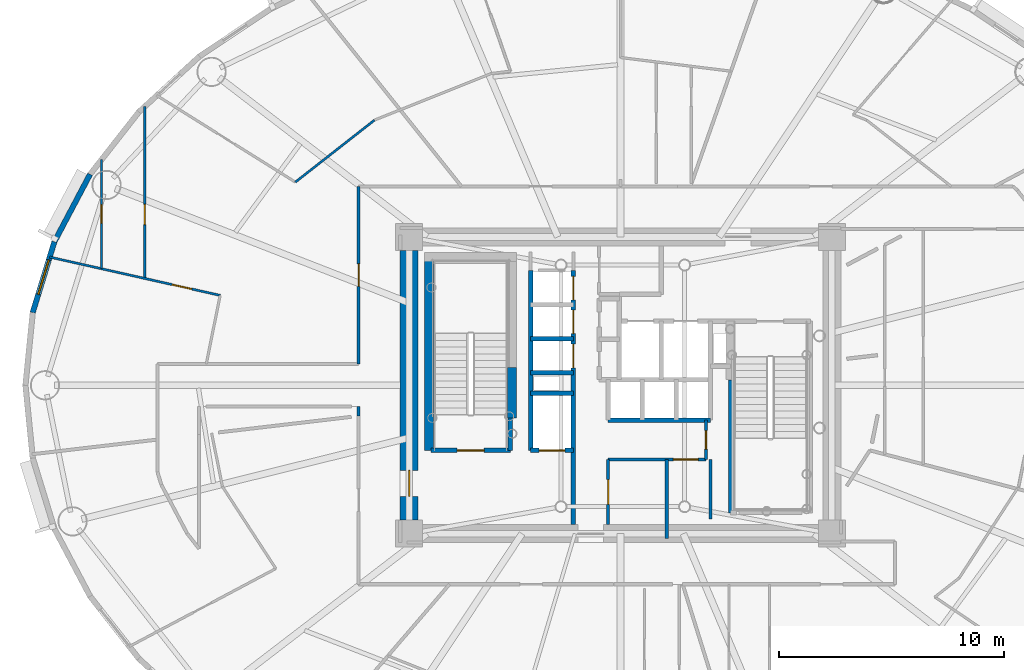
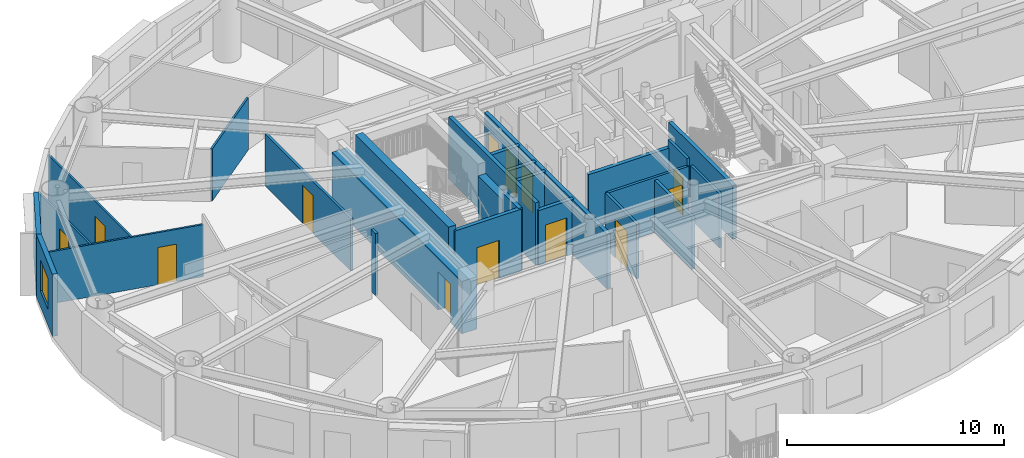
# One storey, part 7 of 18: 26 walls, 13 doors, 1 window, 14 openings.
"""IFC4 building model written with IfcOpenShell, lengths in metres."""

import ifcopenshell
import ifcopenshell.guid

model = None  # the IFC model being written
_history = None  # IfcOwnerHistory: only IFC2X3 demands one
_inside = {}  # id of a spatial element -> (the spatial element, [elements in it])
_under = {}  # id of a project, library or spatial element -> (it, [spatial elements below it])
_declared = {}  # id of a project -> (the project, [libraries it declares])
_typed = {}  # id of a type object -> (the type object, [elements of that type])
_made_of = {}  # id of a material, layer set ... -> (it, [elements and type objects made of it])


def new_model(schema):
    """Start an empty IFC model of exactly this schema.

    Asked for "IFC4X3", IfcOpenShell would pick the latest addendum, in which some entities
    have other attributes; the version numbers below select the first issue.
    IFC2X3 requires an IfcOwnerHistory on every rooted entity: one is made here for all.
    """
    global model, _history
    if schema == "IFC4X3":
        model = ifcopenshell.file(schema_version=(4, 3, 0, 0))
    else:
        model = ifcopenshell.file(schema=schema)
    _inside.clear()
    _under.clear()
    _declared.clear()
    _typed.clear()
    _made_of.clear()
    _history = None
    if model.schema == "IFC2X3":
        org = make("IfcOrganization", Name="unknown")
        user = make(
            "IfcPersonAndOrganization",
            ThePerson=make("IfcPerson", FamilyName="unknown"),
            TheOrganization=org,
        )
        app = make(
            "IfcApplication",
            ApplicationDeveloper=org,
            Version="unknown",
            ApplicationFullName="unknown",
            ApplicationIdentifier="unknown",
        )
        _history = make(
            "IfcOwnerHistory",
            OwningUser=user,
            OwningApplication=app,
            ChangeAction="ADDED",
            CreationDate=0,
        )
    return model


def make(cls, **values):
    """One entity of the class cls with the attributes given. An attribute that is None is left unset."""
    return model.create_entity(
        cls, **{name: value for name, value in values.items() if value is not None}
    )


def rooted(cls, **values):
    """An entity with a GlobalId (a new one), such as an element, a storey or a relation."""
    return make(cls, GlobalId=ifcopenshell.guid.new(), OwnerHistory=_history, **values)


def si_unit(unit_type, name, prefix=None):
    """IfcSIUnit, for example si_unit("LENGTHUNIT", "METRE", prefix="MILLI")."""
    return make("IfcSIUnit", UnitType=unit_type, Prefix=prefix, Name=name)


def assignment(units):
    """IfcUnitAssignment: the units of a project."""
    return None if units is None else make("IfcUnitAssignment", Units=units)


def point(xyz):
    """IfcCartesianPoint."""
    return None if xyz is None else make("IfcCartesianPoint", Coordinates=xyz)


def direction(xyz):
    """IfcDirection."""
    return None if xyz is None else make("IfcDirection", DirectionRatios=xyz)


def frame(location, z_axis=None, x_axis=None):
    """IfcAxis2Placement3D, a coordinate frame: its origin and axes. An axis left out is left unset."""
    return make(
        "IfcAxis2Placement3D",
        Location=point(location),
        Axis=direction(z_axis),
        RefDirection=direction(x_axis),
    )


def frame_2d(location, x_axis=None):
    """IfcAxis2Placement2D, a coordinate frame in the plane: its origin and x axis."""
    return make(
        "IfcAxis2Placement2D", Location=point(location), RefDirection=direction(x_axis)
    )


def origin():
    """The frame at (0, 0, 0) with its axes left unset."""
    return frame((0.0, 0.0, 0.0))


def origin_2d():
    """The frame at (0, 0) in the plane with its x axis left unset."""
    return frame_2d((0.0, 0.0))


def place(relative_to, where):
    """IfcLocalPlacement: puts the frame where relative to a parent placement (None: the world)."""
    return make(
        "IfcLocalPlacement", PlacementRelTo=relative_to, RelativePlacement=where
    )


def context(
    kind, dimensions, precision=None, world=None, true_north=None, identifier=None
):
    """IfcGeometricRepresentationContext, for example the 3D "Model" context."""
    return make(
        "IfcGeometricRepresentationContext",
        ContextIdentifier=identifier,
        ContextType=kind,
        CoordinateSpaceDimension=dimensions,
        Precision=precision,
        WorldCoordinateSystem=world,
        TrueNorth=true_north,
    )


def subcontext(parent, identifier, kind, view, scale=None):
    """IfcGeometricRepresentationSubContext, for example "Body" below "Model"."""
    return make(
        "IfcGeometricRepresentationSubContext",
        ContextIdentifier=identifier,
        ContextType=kind,
        ParentContext=parent,
        TargetScale=scale,
        TargetView=view,
    )


def project(units=None, contexts=None):
    """IfcProject with its units and contexts."""
    return rooted(
        "IfcProject",
        Name="project",
        RepresentationContexts=contexts,
        UnitsInContext=assignment(units),
    )


def spatial(cls, under=None, at=None, **own):
    """A site, building, storey or space (cls), placed at a placement, below another one or the project."""
    s = rooted(cls, ObjectPlacement=at, **own)
    if under is not None:
        _under.setdefault(under.id(), (under, []))[1].append(s)
    return s


def profile(cls, at=None, kind="AREA", **sizes):
    """A parametric profile (cls). Its sizes go by their IFC names, for example OverallWidth=200.0."""
    return make(cls, ProfileType=kind, Position=at, **sizes)


def rectangle(**sizes):
    """IfcRectangleProfileDef."""
    return profile("IfcRectangleProfileDef", **sizes)


def extrude(swept, where, along, depth):
    """IfcExtrudedAreaSolid: the profile swept, set in the frame where, extruded along a direction by depth."""
    return make(
        "IfcExtrudedAreaSolid",
        SweptArea=swept,
        Position=where,
        ExtrudedDirection=direction(along),
        Depth=depth,
    )


def shape(context_of_items, identifier, shape_type, items):
    """IfcShapeRepresentation: the items that make up one representation, for example the "Body"."""
    return make(
        "IfcShapeRepresentation",
        ContextOfItems=context_of_items,
        RepresentationIdentifier=identifier,
        RepresentationType=shape_type,
        Items=items,
    )


def source(mapping_origin, context_of_items, identifier, shape_type, items):
    """IfcRepresentationMap: a shape defined once, which mapped items show again and again."""
    return make(
        "IfcRepresentationMap",
        MappingOrigin=mapping_origin,
        MappedRepresentation=shape(context_of_items, identifier, shape_type, items),
    )


def transform(
    local_origin,
    x_axis=None,
    y_axis=None,
    z_axis=None,
    scale=None,
    scale2=None,
    scale3=None,
    uniform=True,
):
    """IfcCartesianTransformationOperator3D, or its non-uniform kind. x_axis, y_axis, z_axis: its Axis1, 2, 3."""
    if uniform:
        return make(
            "IfcCartesianTransformationOperator3D",
            Axis1=direction(x_axis),
            Axis2=direction(y_axis),
            LocalOrigin=point(local_origin),
            Scale=scale,
            Axis3=direction(z_axis),
        )
    return make(
        "IfcCartesianTransformationOperator3DnonUniform",
        Axis1=direction(x_axis),
        Axis2=direction(y_axis),
        LocalOrigin=point(local_origin),
        Scale=scale,
        Axis3=direction(z_axis),
        Scale2=scale2,
        Scale3=scale3,
    )


def mapped(mapping_source, mapping_target):
    """IfcMappedItem: shows the shape of a source again, moved by a transform."""
    return make(
        "IfcMappedItem", MappingSource=mapping_source, MappingTarget=mapping_target
    )


def material(Name=None, Category=None):
    """IfcMaterial."""
    return make("IfcMaterial", Name=Name, Category=Category)


def layer(
    of_material, thickness, ventilated=None, Name=None, Category=None, Priority=None
):
    """IfcMaterialLayer: one layer of a wall or slab, of a material (None: an air gap)."""
    return make(
        "IfcMaterialLayer",
        Material=of_material,
        LayerThickness=thickness,
        IsVentilated=ventilated,
        Name=Name,
        Category=Category,
        Priority=Priority,
    )


def layer_set(layers, Name=None):
    """IfcMaterialLayerSet."""
    return make("IfcMaterialLayerSet", MaterialLayers=layers, LayerSetName=Name)


def made_of(thing, what):
    """Note that an element or type object is made of a material, layer set ...; save() writes the relation."""
    if what is not None:
        _made_of.setdefault(what.id(), (what, []))[1].append(thing)
    return thing


def type_object(cls, material=None, **own):
    """A type object (cls), such as IfcWallType, which elements share."""
    return made_of(rooted(cls, **own), material)


def element(
    cls,
    number,
    at=None,
    inside=None,
    cuts=None,
    type_object=None,
    material=None,
    context=None,
    identifier="Body",
    shape_type=None,
    held_by="IfcProductDefinitionShape",
    body=None,
    shapes=None,
    **own,
):
    """One element of the class cls, such as IfcWall. Its Tag is "e" and its number.

    at: its placement. inside: the storey or other place that contains it. cuts: it is an
    opening in that element (IfcRelVoidsElement). A single representation is given by context,
    identifier, shape_type and body (its items); several are given by shapes. held_by: the class
    of the entity that holds the representations. save() writes the other relations.
    """
    e = rooted(cls, Tag="e%d" % number, ObjectPlacement=at, **own)
    if body is not None:
        shapes = [shape(context, identifier, shape_type, body)]
    if shapes is not None:
        e.Representation = make(held_by, Representations=shapes)
    if inside is not None:
        _inside.setdefault(inside.id(), (inside, []))[1].append(e)
    if cuts is not None:
        rooted(
            "IfcRelVoidsElement", RelatingBuildingElement=cuts, RelatedOpeningElement=e
        )
    if type_object is not None:
        _typed.setdefault(type_object.id(), (type_object, []))[1].append(e)
    return made_of(e, material)


def fill(opening, filler):
    """IfcRelFillsElement: the door or window that sits in an opening."""
    return rooted(
        "IfcRelFillsElement",
        RelatingOpeningElement=opening,
        RelatedBuildingElement=filler,
    )


def aggregate(whole, parts):
    """IfcRelAggregates: a whole, such as a stair, and the parts it consists of."""
    return rooted("IfcRelAggregates", RelatingObject=whole, RelatedObjects=parts)


def save(model, path):
    """Write the relations noted so far, then the file.

    IfcRelAggregates (storeys below a building ...), IfcRelContainedInSpatialStructure (elements
    in a storey), IfcRelDefinesByType, IfcRelAssociatesMaterial and IfcRelDeclares: one each for
    every whole, place, type object, material and project.
    """
    for whole, parts in _under.values():
        aggregate(whole, parts)
    for where, things in _inside.values():
        rooted(
            "IfcRelContainedInSpatialStructure",
            RelatedElements=things,
            RelatingStructure=where,
        )
    for kind, things in _typed.values():
        rooted("IfcRelDefinesByType", RelatedObjects=things, RelatingType=kind)
    for what, things in _made_of.values():
        rooted("IfcRelAssociatesMaterial", RelatedObjects=things, RelatingMaterial=what)
    for by, libraries in _declared.values():
        rooted("IfcRelDeclares", RelatingContext=by, RelatedDefinitions=libraries)
    model.write(path)


model = new_model("IFC4")

# Units and contexts
model_context = context("Model", 3, precision=1e-05, world=origin(), true_north=direction((0.0, 1.0)))
body_context = subcontext(model_context, "Body", "Model", "MODEL_VIEW")
ifc_project = project(units=[si_unit("LENGTHUNIT", "METRE"), si_unit("AREAUNIT", "SQUARE_METRE"), si_unit("VOLUMEUNIT", "CUBIC_METRE"), si_unit("PLANEANGLEUNIT", "RADIAN"), si_unit("MASSUNIT", "GRAM", prefix="KILO")], contexts=[model_context])

# Site, building, storey
site_placement = place(None, origin())
site = spatial("IfcSite", under=ifc_project, at=site_placement, CompositionType="ELEMENT")
building_placement = place(site_placement, origin())
building = spatial("IfcBuilding", under=site, at=building_placement, Name="Linh Dai School and Residence Tower", CompositionType="ELEMENT")
storey_placement = place(building_placement, frame((0.0, 0.0, 178.64990234375)))
storey = spatial("IfcBuildingStorey", under=building, at=storey_placement, Name="L43", CompositionType="ELEMENT", Elevation=178.64990234375)

# Wall
ifc_material_1 = material(Name="Precast Concrete B45 (C35/45)", Category="concrete")
ifc_layer_1 = layer(ifc_material_1, 0.239990234375)
ifc_layer_set_1 = layer_set([ifc_layer_1], Name="Precast Concrete B45 (C35/45)")
wall_type_1 = type_object("IfcWallType", Name="EW-TC-240", PredefinedType="SOLIDWALL", material=ifc_layer_set_1)
wall_1_placement = place(storey_placement, frame((10.8173828125, 33.388916015625, 0.0), z_axis=(0.0, 0.0, 1.0), x_axis=(0.467586874938, 0.88394712194, 0.0)))
element("IfcWall", 1, at=wall_1_placement, inside=storey, type_object=wall_type_1, Name="L43 Terracotta Exterior Wall 18", PredefinedType="SOLIDWALL", context=body_context, shape_type="SweptSolid", body=[
    extrude(rectangle(XDim=3.393310546875, YDim=0.239990234375, at=frame_2d((1.69677734375, 0.0))), origin(), (0.0, 0.0, 1.0), 3.5),
])

# Wall, opening, window
wall_2_placement = place(storey_placement, frame((9.85009765625, 30.233642578125, 0.0), z_axis=(0.0, 0.0, 1.0), x_axis=(0.293097995113, 0.956082405058, 0.0)))
wall_2 = element("IfcWall", 2, at=wall_2_placement, inside=storey, type_object=wall_type_1, Name="L43 Terracotta Exterior Wall 19", PredefinedType="SOLIDWALL", context=body_context, shape_type="SweptSolid", body=[
    extrude(rectangle(XDim=3.30029296875, YDim=0.239990234375, at=frame_2d((1.650146484375, 0.0))), origin(), (0.0, 0.0, 1.0), 3.5),
])
opening_1_placement = place(wall_2_placement, frame((0.85009765625, 0.0, 0.89990234375)))
opening_1 = element("IfcOpeningElement", 3, at=opening_1_placement, cuts=wall_2, Name="Opening W2", PredefinedType="OPENING", context=body_context, shape_type="SweptSolid", body=[
    extrude(rectangle(XDim=1.60009765625, YDim=1.75, at=origin_2d()), frame((0.800048828125, 0.1298828125, 0.875), z_axis=(0.0, -1.0, 0.0), x_axis=(1.0, 0.0, 0.0)), (0.0, 0.0, 1.0), 0.260009765625),
])
ifc_material_2 = material(Name="Double Low-E Insulated Glazing", Category="glass")
window_type = type_object("IfcWindowType", Name="WN-RES-1600x1750", PartitioningType="DOUBLE_PANEL_VERTICAL", PredefinedType="WINDOW", material=ifc_material_2)
shared_shape_1 = source(origin(), body_context, "Body", "SweptSolid", [
    extrude(rectangle(XDim=1.60009765625, YDim=1.75, at=origin_2d()), frame((0.800048828125, 0.030029296875, 0.875), z_axis=(0.0, -1.0, 0.0), x_axis=(1.0, 0.0, 0.0)), (0.0, 0.0, 1.0), 0.06005859375),
])
window_placement = place(opening_1_placement, origin())
window = element("IfcWindow", 4, at=window_placement, inside=storey, type_object=window_type, Name="L43 Exterior Window 19.1", OverallHeight=1.75, OverallWidth=1.60009765625, PartitioningType="DOUBLE_PANEL_VERTICAL", PredefinedType="WINDOW", context=body_context, shape_type="MappedRepresentation", body=[
    mapped(shared_shape_1, transform((0.0, 0.0, 0.0), x_axis=(1.0, 0.0, 0.0), y_axis=(0.0, 1.0, 0.0), z_axis=(0.0, 0.0, 1.0), scale=1.0)),
])
fill(opening_1, window)

# Wall, opening, door
ifc_material_3 = material(Name="Autoclaved Aerated Concrete Blockwork", Category="masonry")
ifc_layer_2 = layer(ifc_material_3, 0.135009765625)
ifc_layer_set_2 = layer_set([ifc_layer_2], Name="Autoclaved Aerated Concrete Blockwork")
wall_type_2 = type_object("IfcWallType", Name="IW-CORR-135-EI90", PredefinedType="PARTITIONING", material=ifc_layer_set_2)
wall_3_placement = place(storey_placement, frame((24.35009765625, 27.949951171875, 0.0), z_axis=(0.0, 0.0, 1.0), x_axis=(0.0, 1.0, 0.0)))
wall_3 = element("IfcWall", 5, at=wall_3_placement, inside=storey, type_object=wall_type_2, Name="L43 Interior Partition Wall 023", PredefinedType="PARTITIONING", context=body_context, shape_type="SweptSolid", body=[
    extrude(rectangle(XDim=7.900146484375, YDim=0.135009765625, at=frame_2d((3.9501953125, 0.0))), origin(), (0.0, 0.0, 1.0), 2.93505859375),
])
opening_2_placement = place(wall_3_placement, frame((3.449951171875, 0.0, 0.0)))
opening_2 = element("IfcOpeningElement", 6, at=opening_2_placement, cuts=wall_3, Name="Opening D03", PredefinedType="OPENING", context=body_context, shape_type="SweptSolid", body=[
    extrude(rectangle(XDim=1.0, YDim=2.14990234375, at=origin_2d()), frame((0.5, 0.07763671875, 1.074951171875), z_axis=(0.0, -1.0, 0.0), x_axis=(1.0, 0.0, 0.0)), (0.0, 0.0, 1.0), 0.155029296875),
])
ifc_material_4 = material(Name="Fire-Rated Solid Timber Entrance Door", Category="wood")
door_type_1 = type_object("IfcDoorType", Name="DR-FLAT-1000x2150-FD60S", OperationType="NOTDEFINED", PredefinedType="DOOR", material=ifc_material_4)
shared_shape_2 = source(origin(), body_context, "Body", "SweptSolid", [
    extrude(rectangle(XDim=1.0, YDim=2.14990234375, at=origin_2d()), frame((0.5, 0.02490234375, 1.074951171875), z_axis=(0.0, -1.0, 0.0), x_axis=(1.0, 0.0, 0.0)), (0.0, 0.0, 1.0), 0.050048828125),
])
door_1_placement = place(opening_2_placement, origin())
door_1 = element("IfcDoor", 7, at=door_1_placement, inside=storey, type_object=door_type_1, Name="L43 U4303 Apartment Entrance Door", OperationType="SINGLE_SWING_LEFT", OverallHeight=2.14990234375, OverallWidth=1.0, PredefinedType="DOOR", context=body_context, shape_type="MappedRepresentation", body=[
    mapped(shared_shape_2, transform((0.0, 0.0, 0.0), x_axis=(1.0, 0.0, 0.0), y_axis=(0.0, 1.0, 0.0), z_axis=(0.0, 0.0, 1.0), scale=1.0)),
])
fill(opening_2, door_1)

wall_4_placement = place(storey_placement, frame((35.449951171875, 20.800048828125, 0.0), z_axis=(0.0, 0.0, 1.0), x_axis=(0.0, 1.0, 0.0)))
wall_4 = element("IfcWall", 8, at=wall_4_placement, inside=storey, type_object=wall_type_2, Name="L43 Interior Partition Wall 047", PredefinedType="PARTITIONING", context=body_context, shape_type="SweptSolid", body=[
    extrude(rectangle(XDim=2.89990234375, YDim=0.135009765625, at=frame_2d((1.449951171875, 0.0))), origin(), (0.0, 0.0, 1.0), 3.085205078125),
])
opening_3_placement = place(wall_4_placement, frame((0.89990234375, 0.0, 0.0)))
opening_3 = element("IfcOpeningElement", 9, at=opening_3_placement, cuts=wall_4, Name="Opening D07", PredefinedType="OPENING", context=body_context, shape_type="SweptSolid", body=[
    extrude(rectangle(XDim=1.10009765625, YDim=2.14990234375, at=origin_2d()), frame((0.550048828125, 0.07763671875, 1.074951171875), z_axis=(0.0, -1.0, 0.0), x_axis=(1.0, 0.0, 0.0)), (0.0, 0.0, 1.0), 0.155029296875),
])
ifc_material_5 = material(Name="Fire-Rated Louvred Steel Plant Door", Category="steel")
door_type_2 = type_object("IfcDoorType", Name="DR-PLT-1100x2150-FD60S", OperationType="NOTDEFINED", PredefinedType="DOOR", material=ifc_material_5)
shared_shape_3 = source(origin(), body_context, "Body", "SweptSolid", [
    extrude(rectangle(XDim=1.10009765625, YDim=2.14990234375, at=origin_2d()), frame((0.550048828125, 0.02490234375, 1.074951171875), z_axis=(0.0, -1.0, 0.0), x_axis=(1.0, 0.0, 0.0)), (0.0, 0.0, 1.0), 0.050048828125),
])
door_2_placement = place(opening_3_placement, origin())
door_2 = element("IfcDoor", 10, at=door_2_placement, inside=storey, type_object=door_type_2, Name="L43 Floor Electrical Switchroom Door", OperationType="SINGLE_SWING_LEFT", OverallHeight=2.14990234375, OverallWidth=1.10009765625, PredefinedType="DOOR", context=body_context, shape_type="MappedRepresentation", body=[
    mapped(shared_shape_3, transform((0.0, 0.0, 0.0), x_axis=(1.0, 0.0, 0.0), y_axis=(0.0, 1.0, 0.0), z_axis=(0.0, 0.0, 1.0), scale=1.0)),
])
fill(opening_3, door_2)

wall_5_placement = place(storey_placement, frame((35.449951171875, 23.699951171875, 0.0), z_axis=(0.0, 0.0, 1.0), x_axis=(1.0, 0.0, 0.0)))
wall_5 = element("IfcWall", 11, at=wall_5_placement, inside=storey, type_object=wall_type_2, Name="L43 Interior Partition Wall 048", PredefinedType="PARTITIONING", context=body_context, shape_type="SweptSolid", body=[
    extrude(rectangle(XDim=4.35009765625, YDim=0.135009765625, at=frame_2d((2.175048828125, 0.0))), origin(), (0.0, 0.0, 1.0), 3.085205078125),
])
opening_4_placement = place(wall_5_placement, frame((2.905029296875, 0.0, 0.0)))
opening_4 = element("IfcOpeningElement", 12, at=opening_4_placement, cuts=wall_5, Name="Opening D07", PredefinedType="OPENING", context=body_context, shape_type="SweptSolid", body=[
    extrude(rectangle(XDim=1.10009765625, YDim=2.14990234375, at=origin_2d()), frame((0.550048828125, 0.07763671875, 1.074951171875), z_axis=(0.0, -1.0, 0.0), x_axis=(1.0, 0.0, 0.0)), (0.0, 0.0, 1.0), 0.155029296875),
])
door_3_placement = place(opening_4_placement, origin())
door_3 = element("IfcDoor", 13, at=door_3_placement, inside=storey, type_object=door_type_2, Name="L43 Telecom Node Room Door", OperationType="SINGLE_SWING_RIGHT", OverallHeight=2.14990234375, OverallWidth=1.10009765625, PredefinedType="DOOR", context=body_context, shape_type="MappedRepresentation", body=[
    mapped(shared_shape_3, transform((0.0, 0.0, 0.0), x_axis=(1.0, 0.0, 0.0), y_axis=(0.0, 1.0, 0.0), z_axis=(0.0, 0.0, 1.0), scale=1.0)),
])
fill(opening_4, door_3)

wall_6_placement = place(storey_placement, frame((39.800048828125, 23.699951171875, 0.0), z_axis=(0.0, 0.0, 1.0), x_axis=(0.0, 1.0, 0.0)))
wall_6 = element("IfcWall", 14, at=wall_6_placement, inside=storey, type_object=wall_type_2, Name="L43 Interior Partition Wall 071", PredefinedType="PARTITIONING", context=body_context, shape_type="SweptSolid", body=[
    extrude(rectangle(XDim=1.75, YDim=0.135009765625, at=frame_2d((0.875, 0.0))), origin(), (0.0, 0.0, 1.0), 3.5),
])
opening_5_placement = place(wall_6_placement, frame((0.465087890625, 0.0, 0.0)))
opening_5 = element("IfcOpeningElement", 15, at=opening_5_placement, cuts=wall_6, Name="Opening D06", PredefinedType="OPENING", context=body_context, shape_type="SweptSolid", body=[
    extrude(rectangle(XDim=0.820068359375, YDim=2.10009765625, at=origin_2d()), frame((0.41015625, 0.07763671875, 1.050048828125), z_axis=(0.0, -1.0, 0.0), x_axis=(1.0, 0.0, 0.0)), (0.0, 0.0, 1.0), 0.155029296875),
])
ifc_material_6 = material(Name="Moisture-Resistant Timber Bathroom Door", Category="wood")
door_type_3 = type_object("IfcDoorType", Name="DR-WET-820x2100", OperationType="NOTDEFINED", PredefinedType="DOOR", material=ifc_material_6)
shared_shape_4 = source(origin(), body_context, "Body", "SweptSolid", [
    extrude(rectangle(XDim=0.820068359375, YDim=2.10009765625, at=origin_2d()), frame((0.41015625, 0.02490234375, 1.050048828125), z_axis=(0.0, -1.0, 0.0), x_axis=(1.0, 0.0, 0.0)), (0.0, 0.0, 1.0), 0.050048828125),
])
door_4_placement = place(opening_5_placement, origin())
door_4 = element("IfcDoor", 16, at=door_4_placement, inside=storey, type_object=door_type_3, Name="L43 East Linen Store Door", OperationType="SINGLE_SWING_RIGHT", OverallHeight=2.10009765625, OverallWidth=0.820068359375, PredefinedType="DOOR", context=body_context, shape_type="MappedRepresentation", body=[
    mapped(shared_shape_4, transform((0.0, 0.0, 0.0), x_axis=(1.0, 0.0, 0.0), y_axis=(0.0, 1.0, 0.0), z_axis=(0.0, 0.0, 1.0), scale=1.0)),
])
fill(opening_5, door_4)

# Walls
wall_7_placement = place(storey_placement, frame((40.0, 23.699951171875, 0.0), z_axis=(0.0, 0.0, 1.0), x_axis=(0.0, -1.0, 0.0)))
element("IfcWall", 17, at=wall_7_placement, inside=storey, type_object=wall_type_2, Name="L43 Interior Partition Wall 104", PredefinedType="PARTITIONING", context=body_context, shape_type="SweptSolid", body=[
    extrude(rectangle(XDim=2.639892578125, YDim=0.135009765625, at=frame_2d((1.31982421875, 0.0))), origin(), (0.0, 0.0, 1.0), 3.03515625),
])
wall_8_placement = place(storey_placement, frame((24.35009765625, 25.644775390625, 0.0), z_axis=(0.0, 0.0, 1.0), x_axis=(0.0, 1.0, 0.0)))
element("IfcWall", 18, at=wall_8_placement, inside=storey, type_object=wall_type_2, Name="L43 Interior Partition Wall 117", PredefinedType="PARTITIONING", context=body_context, shape_type="SweptSolid", body=[
    extrude(rectangle(XDim=0.4052734375, YDim=0.135009765625, at=frame_2d((0.20263671875, 0.0))), origin(), (0.0, 0.0, 1.0), 3.5),
])
ifc_layer_3 = layer(ifc_material_3, 0.14990234375)
ifc_layer_set_3 = layer_set([ifc_layer_3], Name="Autoclaved Aerated Concrete Blockwork")
wall_type_3 = type_object("IfcWallType", Name="IW-SCH-150-EI60", PredefinedType="PARTITIONING", material=ifc_layer_set_3)
wall_9_placement = place(storey_placement, frame((38.050048828125, 20.179931640625, 0.0), z_axis=(0.0, 0.0, 1.0), x_axis=(0.0, 1.0, 0.0)))
element("IfcWall", 19, at=wall_9_placement, inside=storey, type_object=wall_type_3, Name="L43 Interior Partition Wall 063", PredefinedType="PARTITIONING", context=body_context, shape_type="SweptSolid", body=[
    extrude(rectangle(XDim=3.52001953125, YDim=0.14990234375, at=frame_2d((1.760009765625, 0.0))), origin(), (0.0, 0.0, 1.0), 2.93505859375),
])

# Wall, opening, door
ifc_material_7 = material(Name="Concrete B45 (C35/45)", Category="concrete")
ifc_layer_4 = layer(ifc_material_7, 0.199951171875)
ifc_layer_set_4 = layer_set([ifc_layer_4], Name="Concrete B45 (C35/45)")
wall_type_4 = type_object("IfcWallType", Name="IW-SHAFT-200-EI120", PredefinedType="PARTITIONING", material=ifc_layer_set_4)
wall_10_placement = place(storey_placement, frame((27.56005859375, 24.10009765625, 0.0), z_axis=(0.0, 0.0, 1.0), x_axis=(1.0, 0.0, 0.0)))
wall_10 = element("IfcWall", 20, at=wall_10_placement, inside=storey, type_object=wall_type_4, Name="L43 Interior Partition Wall 027", PredefinedType="PARTITIONING", context=body_context, shape_type="SweptSolid", body=[
    extrude(rectangle(XDim=3.5400390625, YDim=0.199951171875, at=frame_2d((1.77001953125, 0.0))), origin(), (0.0, 0.0, 1.0), 3.5),
])
opening_6_placement = place(wall_10_placement, frame((1.169921875, 0.0, 0.0)))
opening_6 = element("IfcOpeningElement", 21, at=opening_6_placement, cuts=wall_10, Name="Opening D01", PredefinedType="OPENING", context=body_context, shape_type="SweptSolid", body=[
    extrude(rectangle(XDim=1.199951171875, YDim=2.14990234375, at=origin_2d()), frame((0.60009765625, 0.10986328125, 1.074951171875), z_axis=(0.0, -1.0, 0.0), x_axis=(1.0, 0.0, 0.0)), (0.0, 0.0, 1.0), 0.219970703125),
])
ifc_material_8 = material(Name="Fire-Rated Steel Door Leaf", Category="steel")
door_type_4 = type_object("IfcDoorType", Name="DR-STAIR-1200x2150-FD90S", OperationType="NOTDEFINED", PredefinedType="DOOR", material=ifc_material_8)
shared_shape_5 = source(origin(), body_context, "Body", "SweptSolid", [
    extrude(rectangle(XDim=1.199951171875, YDim=2.14990234375, at=origin_2d()), frame((0.60009765625, 0.02490234375, 1.074951171875), z_axis=(0.0, -1.0, 0.0), x_axis=(1.0, 0.0, 0.0)), (0.0, 0.0, 1.0), 0.050048828125),
])
door_5_placement = place(opening_6_placement, origin())
door_5 = element("IfcDoor", 22, at=door_5_placement, inside=storey, type_object=door_type_4, Name="L43 Core Smokeproof Exit Stair ST1 Door", OperationType="SINGLE_SWING_RIGHT", OverallHeight=2.14990234375, OverallWidth=1.199951171875, PredefinedType="DOOR", context=body_context, shape_type="MappedRepresentation", body=[
    mapped(shared_shape_5, transform((0.0, 0.0, 0.0), x_axis=(1.0, 0.0, 0.0), y_axis=(0.0, 1.0, 0.0), z_axis=(0.0, 0.0, 1.0), scale=1.0)),
])
fill(opening_6, door_5)

# Walls
wall_11_placement = place(storey_placement, frame((31.10009765625, 24.10009765625, 0.0), z_axis=(0.0, 0.0, 1.0), x_axis=(0.0, 1.0, 0.0)))
element("IfcWall", 23, at=wall_11_placement, inside=storey, type_object=wall_type_4, Name="L43 Interior Partition Wall 032", PredefinedType="PARTITIONING", context=body_context, shape_type="SweptSolid", body=[
    extrude(rectangle(XDim=1.43994140625, YDim=0.199951171875, at=frame_2d((0.719970703125, 0.0))), origin(), (0.0, 0.0, 1.0), 3.5),
])
wall_12_placement = place(storey_placement, frame((32.0, 24.10009765625, 0.0), z_axis=(0.0, 0.0, 1.0), x_axis=(0.0, 1.0, 0.0)))
element("IfcWall", 24, at=wall_12_placement, inside=storey, type_object=wall_type_4, Name="L43 Interior Partition Wall 033", PredefinedType="PARTITIONING", context=body_context, shape_type="SweptSolid", body=[
    extrude(rectangle(XDim=8.0, YDim=0.199951171875, at=frame_2d((4.0, 0.0))), origin(), (0.0, 0.0, 1.0), 3.5),
])

# Wall, opening, door
wall_13_placement = place(storey_placement, frame((32.0, 24.10009765625, 0.0), z_axis=(0.0, 0.0, 1.0), x_axis=(1.0, 0.0, 0.0)))
wall_13 = element("IfcWall", 25, at=wall_13_placement, inside=storey, type_object=wall_type_4, Name="L43 Interior Partition Wall 034", PredefinedType="PARTITIONING", context=body_context, shape_type="SweptSolid", body=[
    extrude(rectangle(XDim=1.89990234375, YDim=0.199951171875, at=frame_2d((0.949951171875, 0.0))), origin(), (0.0, 0.0, 1.0), 3.085205078125),
])
opening_7_placement = place(wall_13_placement, frame((0.375, 0.0, 0.0)))
opening_7 = element("IfcOpeningElement", 26, at=opening_7_placement, cuts=wall_13, Name="Opening LD-FF2", PredefinedType="OPENING", context=body_context, shape_type="SweptSolid", body=[
    extrude(rectangle(XDim=1.14990234375, YDim=2.14990234375, at=origin_2d()), frame((0.574951171875, 0.10986328125, 1.074951171875), z_axis=(0.0, -1.0, 0.0), x_axis=(1.0, 0.0, 0.0)), (0.0, 0.0, 1.0), 0.219970703125),
])
ifc_material_9 = material(Name="Fire-Rated Stainless Steel Firefighting Lift Door", Category="steel")
door_type_5 = type_object("IfcDoorType", Name="DR-LD-FF-1150x2150-FD120", OperationType="DOUBLE_DOOR_SLIDING", PredefinedType="USERDEFINED", material=ifc_material_9)
shared_shape_6 = source(origin(), body_context, "Body", "SweptSolid", [
    extrude(rectangle(XDim=1.14990234375, YDim=2.14990234375, at=origin_2d()), frame((0.574951171875, 0.02490234375, 1.074951171875), z_axis=(0.0, -1.0, 0.0), x_axis=(1.0, 0.0, 0.0)), (0.0, 0.0, 1.0), 0.050048828125),
])
door_6_placement = place(opening_7_placement, origin())
door_6 = element("IfcDoor", 27, at=door_6_placement, inside=storey, type_object=door_type_5, Name="L43 Lift FF2 Sliding Landing Door", ObjectType="LANDING DOOR", OperationType="DOUBLE_DOOR_SLIDING", OverallHeight=2.14990234375, OverallWidth=1.14990234375, PredefinedType="USERDEFINED", context=body_context, shape_type="MappedRepresentation", body=[
    mapped(shared_shape_6, transform((0.0, 0.0, 0.0), x_axis=(1.0, 0.0, 0.0), y_axis=(0.0, 1.0, 0.0), z_axis=(0.0, 0.0, 1.0), scale=1.0)),
])
fill(opening_7, door_6)

# Walls
for number, where, z_axis, x_axis, name in (
    (28, (32.0, 26.64990234375, 0.0), (0.0, 0.0, 1.0), (1.0, 0.0, 0.0), "L43 Interior Partition Wall 035"),
    (29, (32.0, 27.550048828125, 0.0), (0.0, 0.0, 1.0), (1.0, 0.0, 0.0), "L43 Interior Partition Wall 036"),
    (30, (32.0, 29.06005859375, 0.0), (0.0, 0.0, 1.0), (1.0, 0.0, 0.0), "L43 Interior Partition Wall 037"),
):
    element("IfcWall", number, at=place(storey_placement, frame(where, z_axis=z_axis, x_axis=x_axis)), inside=storey, type_object=wall_type_4, Name=name, PredefinedType="PARTITIONING", context=body_context, shape_type="SweptSolid", body=[
        extrude(rectangle(XDim=1.89990234375, YDim=0.199951171875, at=frame_2d((0.949951171875, 0.0))), origin(), (0.0, 0.0, 1.0), 3.085205078125),
    ])

# Wall, openings, doors
wall_14_placement = place(storey_placement, frame((33.89990234375, 20.800048828125, 0.0), z_axis=(0.0, 0.0, 1.0), x_axis=(0.0, 1.0, 0.0)))
wall_14 = element("IfcWall", 31, at=wall_14_placement, inside=storey, type_object=wall_type_4, Name="L43 Interior Partition Wall 039", PredefinedType="PARTITIONING", context=body_context, shape_type="SweptSolid", body=[
    extrude(rectangle(XDim=11.300048828125, YDim=0.199951171875, at=frame_2d((5.64990234375, 0.0))), origin(), (0.0, 0.0, 1.0), 3.085205078125),
])
opening_8_placement = place(wall_14_placement, frame((6.97998046875, 0.0, 0.0)))
opening_8 = element("IfcOpeningElement", 32, at=opening_8_placement, cuts=wall_14, Name="Opening LD-PL4", PredefinedType="OPENING", context=body_context, shape_type="SweptSolid", body=[
    extrude(rectangle(XDim=1.050048828125, YDim=2.14990234375, at=origin_2d()), frame((0.52490234375, 0.10986328125, 1.074951171875), z_axis=(0.0, -1.0, 0.0), x_axis=(1.0, 0.0, 0.0)), (0.0, 0.0, 1.0), 0.219970703125),
])
opening_9_placement = place(wall_14_placement, frame((8.4951171875, 0.0, 0.0)))
opening_9 = element("IfcOpeningElement", 33, at=opening_9_placement, cuts=wall_14, Name="Opening LD-PL5", PredefinedType="OPENING", context=body_context, shape_type="SweptSolid", body=[
    extrude(rectangle(XDim=1.050048828125, YDim=2.14990234375, at=origin_2d()), frame((0.52490234375, 0.10986328125, 1.074951171875), z_axis=(0.0, -1.0, 0.0), x_axis=(1.0, 0.0, 0.0)), (0.0, 0.0, 1.0), 0.219970703125),
])
opening_10_placement = place(wall_14_placement, frame((9.9951171875, 0.0, 0.0)))
opening_10 = element("IfcOpeningElement", 34, at=opening_10_placement, cuts=wall_14, Name="Opening LD-PL6", PredefinedType="OPENING", context=body_context, shape_type="SweptSolid", body=[
    extrude(rectangle(XDim=1.050048828125, YDim=2.14990234375, at=origin_2d()), frame((0.52490234375, 0.10986328125, 1.074951171875), z_axis=(0.0, -1.0, 0.0), x_axis=(1.0, 0.0, 0.0)), (0.0, 0.0, 1.0), 0.219970703125),
])
ifc_material_10 = material(Name="Brushed Stainless Steel Lift Landing Door", Category="steel")
door_type_6 = type_object("IfcDoorType", Name="DR-LD-PASS-1050x2150", OperationType="DOUBLE_DOOR_SLIDING", PredefinedType="USERDEFINED", material=ifc_material_10)
shared_shape_7 = source(origin(), body_context, "Body", "SweptSolid", [
    extrude(rectangle(XDim=1.050048828125, YDim=2.14990234375, at=origin_2d()), frame((0.52490234375, 0.02490234375, 1.074951171875), z_axis=(0.0, -1.0, 0.0), x_axis=(1.0, 0.0, 0.0)), (0.0, 0.0, 1.0), 0.050048828125),
])
door_7_placement = place(opening_8_placement, origin())
door_7 = element("IfcDoor", 35, at=door_7_placement, inside=storey, type_object=door_type_6, Name="L43 Lift PL4 Sliding Landing Door", ObjectType="LANDING DOOR", OperationType="DOUBLE_DOOR_SLIDING", OverallHeight=2.14990234375, OverallWidth=1.050048828125, PredefinedType="USERDEFINED", context=body_context, shape_type="MappedRepresentation", body=[
    mapped(shared_shape_7, transform((0.0, 0.0, 0.0), x_axis=(1.0, 0.0, 0.0), y_axis=(0.0, 1.0, 0.0), z_axis=(0.0, 0.0, 1.0), scale=1.0)),
])
fill(opening_8, door_7)
door_8_placement = place(opening_9_placement, origin())
door_8 = element("IfcDoor", 36, at=door_8_placement, inside=storey, type_object=door_type_6, Name="L43 Lift PL5 Sliding Landing Door", ObjectType="LANDING DOOR", OperationType="DOUBLE_DOOR_SLIDING", OverallHeight=2.14990234375, OverallWidth=1.050048828125, PredefinedType="USERDEFINED", context=body_context, shape_type="MappedRepresentation", body=[
    mapped(shared_shape_7, transform((0.0, 0.0, 0.0), x_axis=(1.0, 0.0, 0.0), y_axis=(0.0, 1.0, 0.0), z_axis=(0.0, 0.0, 1.0), scale=1.0)),
])
fill(opening_9, door_8)
door_9_placement = place(opening_10_placement, origin())
door_9 = element("IfcDoor", 37, at=door_9_placement, inside=storey, type_object=door_type_6, Name="L43 Lift PL6 Sliding Landing Door", ObjectType="LANDING DOOR", OperationType="DOUBLE_DOOR_SLIDING", OverallHeight=2.14990234375, OverallWidth=1.050048828125, PredefinedType="USERDEFINED", context=body_context, shape_type="MappedRepresentation", body=[
    mapped(shared_shape_7, transform((0.0, 0.0, 0.0), x_axis=(1.0, 0.0, 0.0), y_axis=(0.0, 1.0, 0.0), z_axis=(0.0, 0.0, 1.0), scale=1.0)),
])
fill(opening_10, door_9)

# Walls
wall_15_placement = place(storey_placement, frame((35.449951171875, 25.449951171875, 0.0), z_axis=(0.0, 0.0, 1.0), x_axis=(1.0, 0.0, 0.0)))
element("IfcWall", 38, at=wall_15_placement, inside=storey, type_object=wall_type_4, Name="L43 Interior Partition Wall 050", PredefinedType="PARTITIONING", context=body_context, shape_type="SweptSolid", body=[
    extrude(rectangle(XDim=4.550048828125, YDim=0.199951171875, at=frame_2d((2.27490234375, 0.0))), origin(), (0.0, 0.0, 1.0), 3.085205078125),
])
wall_16_placement = place(storey_placement, frame((40.89990234375, 21.330078125, 0.0), z_axis=(0.0, 0.0, 1.0), x_axis=(0.0, 1.0, 0.0)))
element("IfcWall", 39, at=wall_16_placement, inside=storey, type_object=wall_type_4, Name="L43 Interior Partition Wall 075", PredefinedType="PARTITIONING", context=body_context, shape_type="SweptSolid", body=[
    extrude(rectangle(XDim=5.909912109375, YDim=0.199951171875, at=frame_2d((2.955078125, 0.0))), origin(), (0.0, 0.0, 1.0), 3.03515625),
])

# Wall, opening, door
ifc_material_11 = material(Name="Gypsum Plasterboard Acoustic Stud Partition", Category="masonry")
ifc_layer_5 = layer(ifc_material_11, 0.10009765625)
ifc_layer_set_5 = layer_set([ifc_layer_5], Name="Gypsum Plasterboard Acoustic Stud Partition")
wall_type_5 = type_object("IfcWallType", Name="IW-UNIT-100", PredefinedType="PARTITIONING", material=ifc_layer_set_5)
wall_17_placement = place(storey_placement, frame((10.60205078125, 32.7041015625, 0.0), z_axis=(0.0, 0.0, 1.0), x_axis=(0.9756977614, -0.21912069368, 0.0)))
wall_17 = element("IfcWall", 40, at=wall_17_placement, inside=storey, type_object=wall_type_5, Name="L43 Interior Partition Wall 002", PredefinedType="PARTITIONING", context=body_context, shape_type="SweptSolid", body=[
    extrude(rectangle(XDim=7.77587890625, YDim=0.10009765625, at=frame_2d((3.887939453125, 0.0))), origin(), (0.0, 0.0, 1.0), 2.93505859375),
])
opening_11_placement = place(wall_17_placement, frame((5.5859375, 0.0, 0.0)))
opening_11 = element("IfcOpeningElement", 41, at=opening_11_placement, cuts=wall_17, Name="Opening D05", PredefinedType="OPENING", context=body_context, shape_type="SweptSolid", body=[
    extrude(rectangle(XDim=0.89990234375, YDim=2.10009765625, at=origin_2d()), frame((0.449951171875, 0.06005859375, 1.050048828125), z_axis=(0.0, -1.0, 0.0), x_axis=(1.0, 0.0, 0.0)), (0.0, 0.0, 1.0), 0.1201171875),
])
ifc_material_12 = material(Name="Engineered Timber Internal Door", Category="wood")
door_type_7 = type_object("IfcDoorType", Name="DR-INT-900x2100", OperationType="NOTDEFINED", PredefinedType="DOOR", material=ifc_material_12)
shared_shape_8 = source(origin(), body_context, "Body", "SweptSolid", [
    extrude(rectangle(XDim=0.89990234375, YDim=2.10009765625, at=origin_2d()), frame((0.449951171875, 0.02490234375, 1.050048828125), z_axis=(0.0, -1.0, 0.0), x_axis=(1.0, 0.0, 0.0)), (0.0, 0.0, 1.0), 0.050048828125),
])
door_10_placement = place(opening_11_placement, origin())
door_10 = element("IfcDoor", 42, at=door_10_placement, inside=storey, type_object=door_type_7, Name="L43 Apartment U4303 Principal Bedroom 2 Door", OperationType="SINGLE_SWING_LEFT", OverallHeight=2.10009765625, OverallWidth=0.89990234375, PredefinedType="DOOR", context=body_context, shape_type="MappedRepresentation", body=[
    mapped(shared_shape_8, transform((0.0, 0.0, 0.0), x_axis=(1.0, 0.0, 0.0), y_axis=(0.0, 1.0, 0.0), z_axis=(0.0, 0.0, 1.0), scale=1.0)),
])
fill(opening_11, door_10)

wall_18_placement = place(storey_placement, frame((12.911865234375, 32.185302734375, 0.0), z_axis=(0.0, 0.0, 1.0), x_axis=(0.0, 1.0, 0.0)))
wall_18 = element("IfcWall", 43, at=wall_18_placement, inside=storey, type_object=wall_type_5, Name="L43 Interior Partition Wall 003", PredefinedType="PARTITIONING", context=body_context, shape_type="SweptSolid", body=[
    extrude(rectangle(XDim=4.860107421875, YDim=0.10009765625, at=frame_2d((2.43017578125, 0.0))), origin(), (0.0, 0.0, 1.0), 2.93505859375),
])
opening_12_placement = place(wall_18_placement, frame((2.02001953125, 0.0, 0.0)))
opening_12 = element("IfcOpeningElement", 44, at=opening_12_placement, cuts=wall_18, Name="Opening D06", PredefinedType="OPENING", context=body_context, shape_type="SweptSolid", body=[
    extrude(rectangle(XDim=0.820068359375, YDim=2.10009765625, at=origin_2d()), frame((0.41015625, 0.06005859375, 1.050048828125), z_axis=(0.0, -1.0, 0.0), x_axis=(1.0, 0.0, 0.0)), (0.0, 0.0, 1.0), 0.1201171875),
])
door_11_placement = place(opening_12_placement, origin())
door_11 = element("IfcDoor", 45, at=door_11_placement, inside=storey, type_object=door_type_3, Name="L43 Apartment U4303 Bathroom 1 Door", OperationType="SINGLE_SWING_LEFT", OverallHeight=2.10009765625, OverallWidth=0.820068359375, PredefinedType="DOOR", context=body_context, shape_type="MappedRepresentation", body=[
    mapped(shared_shape_4, transform((0.0, 0.0, 0.0), x_axis=(1.0, 0.0, 0.0), y_axis=(0.0, 1.0, 0.0), z_axis=(0.0, 0.0, 1.0), scale=1.0)),
])
fill(opening_12, door_11)

wall_19_placement = place(storey_placement, frame((14.832763671875, 31.75390625, 0.0), z_axis=(0.0, 0.0, 1.0), x_axis=(0.0, 1.0, 0.0)))
wall_19 = element("IfcWall", 46, at=wall_19_placement, inside=storey, type_object=wall_type_5, Name="L43 Interior Partition Wall 005", PredefinedType="PARTITIONING", context=body_context, shape_type="SweptSolid", body=[
    extrude(rectangle(XDim=7.650634765625, YDim=0.10009765625, at=frame_2d((3.8251953125, 0.0))), origin(), (0.0, 0.0, 1.0), 2.93505859375),
])
opening_13_placement = place(wall_19_placement, frame((2.398681640625, 0.0, 0.0)))
opening_13 = element("IfcOpeningElement", 47, at=opening_13_placement, cuts=wall_19, Name="Opening D05", PredefinedType="OPENING", context=body_context, shape_type="SweptSolid", body=[
    extrude(rectangle(XDim=0.89990234375, YDim=2.10009765625, at=origin_2d()), frame((0.449951171875, 0.06005859375, 1.050048828125), z_axis=(0.0, -1.0, 0.0), x_axis=(1.0, 0.0, 0.0)), (0.0, 0.0, 1.0), 0.1201171875),
])
door_12_placement = place(opening_13_placement, origin())
door_12 = element("IfcDoor", 48, at=door_12_placement, inside=storey, type_object=door_type_7, Name="L43 Apartment U4303 Kitchen Door", OperationType="SINGLE_SWING_RIGHT", OverallHeight=2.10009765625, OverallWidth=0.89990234375, PredefinedType="DOOR", context=body_context, shape_type="MappedRepresentation", body=[
    mapped(shared_shape_8, transform((0.0, 0.0, 0.0), x_axis=(1.0, 0.0, 0.0), y_axis=(0.0, 1.0, 0.0), z_axis=(0.0, 0.0, 1.0), scale=1.0)),
])
fill(opening_13, door_12)

# Walls
wall_20_placement = place(storey_placement, frame((21.534423828125, 36.0390625, 0.0), z_axis=(0.0, 0.0, 1.0), x_axis=(0.787313734036, 0.616552580238, 0.0)))
element("IfcWall", 49, at=wall_20_placement, inside=storey, type_object=wall_type_5, Name="L43 Interior Partition Wall 019", PredefinedType="PARTITIONING", context=body_context, shape_type="SweptSolid", body=[
    extrude(rectangle(XDim=4.47216796875, YDim=0.10009765625, at=frame_2d((2.236083984375, 0.0))), origin(), (0.0, 0.0, 1.0), 2.93505859375),
])
ifc_layer_6 = layer(ifc_material_7, 0.39990234375)
ifc_layer_set_6 = layer_set([ifc_layer_6], Name="Concrete B45 (C35/45)")
wall_type_6 = type_object("IfcWallType", Name="WL-CORE400", PredefinedType="SHEAR", material=ifc_layer_set_6)
wall_21_placement = place(storey_placement, frame((27.47998046875, 24.10009765625, 0.0), z_axis=(0.0, 0.0, 1.0), x_axis=(0.0, 1.0, 0.0)))
element("IfcWall", 50, at=wall_21_placement, inside=storey, type_object=wall_type_6, Name="L43 Core Stair ST1 Bearing Wall W", PredefinedType="SHEAR", context=body_context, shape_type="SweptSolid", body=[
    extrude(rectangle(XDim=8.599853515625, YDim=0.39990234375, at=frame_2d((4.2998046875, 0.0))), origin(), (0.0, 0.0, 1.0), 3.75),
])
wall_22_placement = place(storey_placement, frame((31.179931640625, 25.550048828125, 0.0), z_axis=(0.0, 0.0, 1.0), x_axis=(0.0, 1.0, 0.0)))
element("IfcWall", 51, at=wall_22_placement, inside=storey, type_object=wall_type_6, Name="L43 Internal Core Shear Wall IW", PredefinedType="SHEAR", context=body_context, shape_type="SweptSolid", body=[
    extrude(rectangle(XDim=2.25, YDim=0.39990234375, at=frame_2d((1.125, 0.0))), origin(), (0.0, 0.0, 1.0), 3.10009765625),
])

# Wall, opening, door
ifc_material_13 = material(Name="Concrete B60 (C50/60)", Category="concrete")
ifc_layer_7 = layer(ifc_material_13, 0.800048828125)
ifc_layer_set_7 = layer_set([ifc_layer_7], Name="Concrete B60 (C50/60)")
wall_type_7 = type_object("IfcWallType", Name="WL-CORE800", PredefinedType="SHEAR", material=ifc_layer_set_7)
wall_23_placement = place(storey_placement, frame((26.60009765625, 21.0, 0.0), z_axis=(0.0, 0.0, 1.0), x_axis=(0.0, 1.0, 0.0)))
wall_23 = element("IfcWall", 52, at=wall_23_placement, inside=storey, type_object=wall_type_7, Name="L43 Central Core Shear Wall W", PredefinedType="SHEAR", context=body_context, shape_type="SweptSolid", body=[
    extrude(rectangle(XDim=12.0, YDim=0.800048828125, at=frame_2d((6.0, 0.0))), origin(), (0.0, 0.0, 1.0), 2.9501953125),
])
opening_14_placement = place(wall_23_placement, frame((1.061279296875, 0.0, 0.0)))
opening_14 = element("IfcOpeningElement", 53, at=opening_14_placement, cuts=wall_23, Name="Opening D02", PredefinedType="OPENING", context=body_context, shape_type="SweptSolid", body=[
    extrude(rectangle(XDim=1.14990234375, YDim=2.14990234375, at=origin_2d()), frame((0.574951171875, 0.41015625, 1.074951171875), z_axis=(0.0, -1.0, 0.0), x_axis=(1.0, 0.0, 0.0)), (0.0, 0.0, 1.0), 0.820068359375),
])
ifc_material_14 = material(Name="Fire-Rated Glazed Steel Lobby Door", Category="steel")
door_type_8 = type_object("IfcDoorType", Name="DR-LOBBY-1150x2150-FD90S", OperationType="NOTDEFINED", PredefinedType="DOOR", material=ifc_material_14)
shared_shape_9 = source(origin(), body_context, "Body", "SweptSolid", [
    extrude(rectangle(XDim=1.14990234375, YDim=2.14990234375, at=origin_2d()), frame((0.574951171875, 0.02490234375, 1.074951171875), z_axis=(0.0, -1.0, 0.0), x_axis=(1.0, 0.0, 0.0)), (0.0, 0.0, 1.0), 0.050048828125),
])
door_13_placement = place(opening_14_placement, origin())
door_13 = element("IfcDoor", 54, at=door_13_placement, inside=storey, type_object=door_type_8, Name="L43 Firefighting Lobby Door", OperationType="SINGLE_SWING_LEFT", OverallHeight=2.14990234375, OverallWidth=1.14990234375, PredefinedType="DOOR", context=body_context, shape_type="MappedRepresentation", body=[
    mapped(shared_shape_9, transform((0.0, 0.0, 0.0), x_axis=(1.0, 0.0, 0.0), y_axis=(0.0, 1.0, 0.0), z_axis=(0.0, 0.0, 1.0), scale=1.0)),
])
fill(opening_14, door_13)

save(model, "model.ifc")
